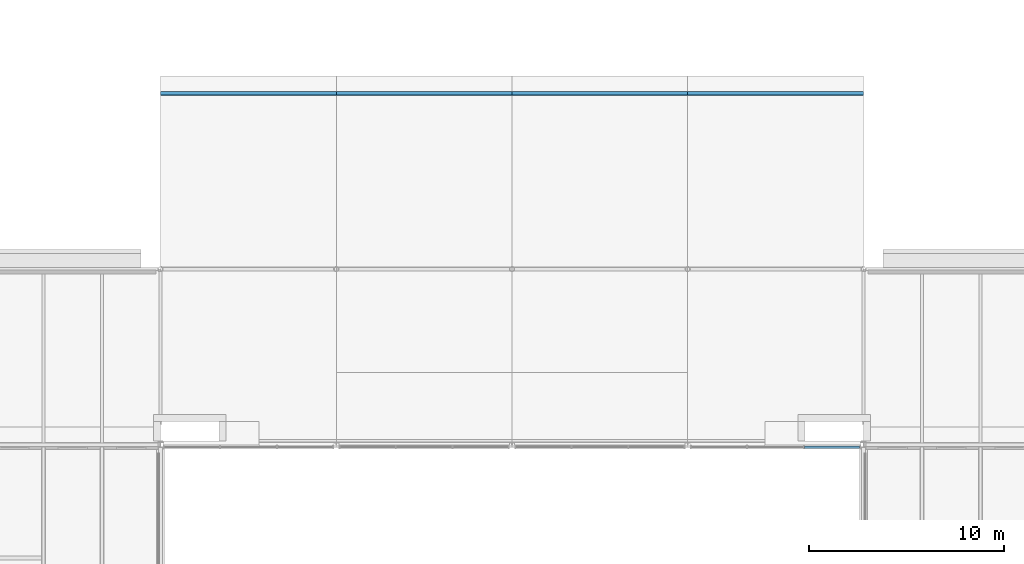
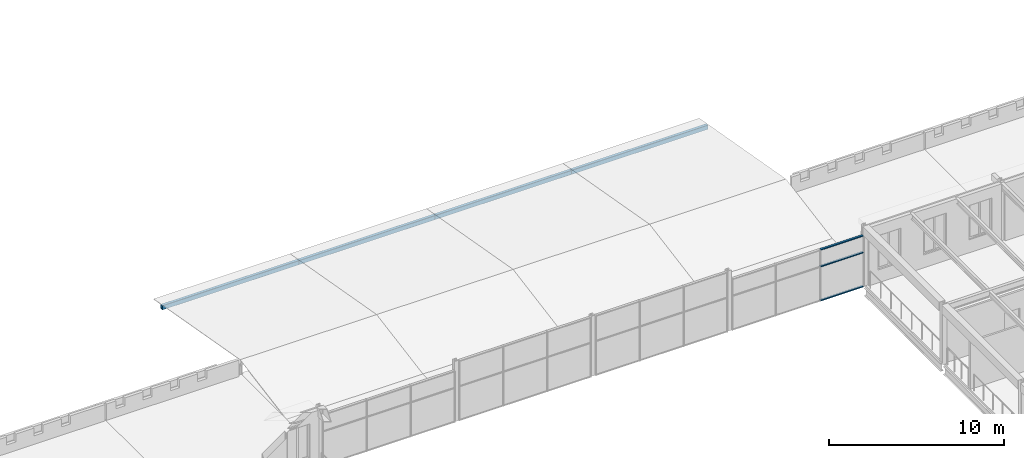
# One storey, part 45 of 123: 4 beams, 3 members, 1 element without a shape of its own.
"""IFC4 building model written with IfcOpenShell, lengths in metres."""

from ifc_helpers import new_model, si_unit, direction, frame, origin, origin_2d, place, context, subcontext, project, spatial, rectangle, hollow_rectangle, extrude, material, material_profile, profile_set, type_object, element, aggregate, save


model = new_model("IFC4")

# Units and contexts
model_context = context("Model", 3, precision=1e-05, world=origin(), true_north=direction((0.0, 1.0)))
body_context = subcontext(model_context, "Body", "Model", "MODEL_VIEW")
ifc_project = project(units=[si_unit("LENGTHUNIT", "METRE"), si_unit("AREAUNIT", "SQUARE_METRE"), si_unit("VOLUMEUNIT", "CUBIC_METRE"), si_unit("PLANEANGLEUNIT", "RADIAN"), si_unit("MASSUNIT", "GRAM", prefix="KILO")], contexts=[model_context])

# Site, building, storey
site_placement = place(None, origin())
site = spatial("IfcSite", under=ifc_project, at=site_placement, CompositionType="ELEMENT")
building_placement = place(site_placement, origin())
building = spatial("IfcBuilding", under=site, at=building_placement, Name="Baradari Gate Terminus", CompositionType="ELEMENT")
storey_placement = place(building_placement, frame((0.0, 0.0, 7.5)))
storey = spatial("IfcBuildingStorey", under=building, at=storey_placement, Name="L01", CompositionType="ELEMENT", Elevation=7.5)

# Beams
ifc_material_1 = material(Name="Steel S355", Category="steel")
ifc_material_profile_1 = material_profile(ifc_material_1, hollow_rectangle(XDim=0.199951171875, YDim=0.300048828125, WallThickness=0.010009765625, InnerFilletRadius=0.010009765625, OuterFilletRadius=0.02001953125, at=origin_2d()), Name="RHS 300x200x10")
ifc_profile_set_1 = profile_set([ifc_material_profile_1], Name="Steel S355")
beam_type = type_object("IfcBeamType", Name="Canopy beam RHS 300x200x10", PredefinedType="BEAM", material=ifc_profile_set_1)
for number, where, z_axis, x_axis, name in (
    (1, (135.0, 126.0, 0.109375), (1.0, 0.0, 0.0), (0.0, 1.0, 0.0), "BM/L01/CE1"),
    (2, (144.0, 126.0, 0.109375), (1.0, 0.0, 0.0), (0.0, 1.0, 0.0), "BM/L01/CE2"),
    (3, (153.0, 126.0, 0.109375), (1.0, 0.0, 0.0), (0.0, 1.0, 0.0), "BM/L01/CE3"),
    (4, (162.0, 126.0, 0.109375), (1.0, 0.0, 0.0), (0.0, 1.0, 0.0), "BM/L01/CE4"),
):
    element("IfcBeam", number, at=place(storey_placement, frame(where, z_axis=z_axis, x_axis=x_axis)), inside=storey, type_object=beam_type, Name=name, PredefinedType="BEAM", context=body_context, shape_type="SweptSolid", body=[
        extrude(hollow_rectangle(XDim=0.199951171875, YDim=0.300048828125, WallThickness=0.010009765625, InnerFilletRadius=0.010009765625, OuterFilletRadius=0.02001953125, at=origin_2d()), origin(), (0.0, 0.0, 1.0), 9.0),
    ])

# Curtain wall, members
ifc_material_2 = material(Name="Aluminium 6063-T6", Category="aluminium")
curtain_wall_type = type_object("IfcCurtainWallType", Name="Curtain wall CW-4 ticket hall clerestory", PredefinedType="NOTDEFINED", material=ifc_material_2)
curtain_wall_placement = place(storey_placement, origin())
curtain_wall = element("IfcCurtainWall", 5, at=curtain_wall_placement, inside=storey, type_object=curtain_wall_type, Name="Glazed curtain wall CW-4 HN bay 19 L01", PredefinedType="NOTDEFINED")
ifc_material_3 = material(Name="Aluminium 6063-T6", Category="aluminium")
ifc_material_profile_2 = material_profile(ifc_material_3, rectangle(XDim=0.135009765625, YDim=0.06494140625, at=origin_2d()), Name="CT-4 65X135")
ifc_profile_set_2 = profile_set([ifc_material_profile_2], Name="Aluminium 6063-T6")
member_type = type_object("IfcMemberType", Name="Curtain wall transom CT-4 65x135", PredefinedType="USERDEFINED", material=ifc_profile_set_2)
member_1_placement = place(storey_placement, frame((167.98974609375, 107.87841796875, 0.032470703125), z_axis=(1.0, 0.0, 0.0), x_axis=(0.0, 1.0, 0.0)))
member_1 = element("IfcMember", 6, at=member_1_placement, type_object=member_type, Name="CW-4 transom 3.1", ObjectType="TRANSOM", PredefinedType="USERDEFINED", context=body_context, shape_type="SweptSolid", body=[
    extrude(rectangle(XDim=0.135009765625, YDim=0.06494140625, at=origin_2d()), origin(), (0.0, 0.0, 1.0), 2.817138671875),
])
member_2_placement = place(storey_placement, frame((167.98974609375, 107.87841796875, 2.39990234375), z_axis=(1.0, 0.0, 0.0), x_axis=(0.0, 1.0, 0.0)))
member_2 = element("IfcMember", 7, at=member_2_placement, type_object=member_type, Name="CW-4 transom 3.2", ObjectType="TRANSOM", PredefinedType="USERDEFINED", context=body_context, shape_type="SweptSolid", body=[
    extrude(rectangle(XDim=0.135009765625, YDim=0.06494140625, at=origin_2d()), origin(), (0.0, 0.0, 1.0), 2.817138671875),
])
member_3_placement = place(storey_placement, frame((167.98974609375, 107.87841796875, 3.5673828125), z_axis=(1.0, 0.0, 0.0), x_axis=(0.0, 1.0, 0.0)))
member_3 = element("IfcMember", 8, at=member_3_placement, type_object=member_type, Name="CW-4 transom 3.3", ObjectType="TRANSOM", PredefinedType="USERDEFINED", context=body_context, shape_type="SweptSolid", body=[
    extrude(rectangle(XDim=0.135009765625, YDim=0.06494140625, at=origin_2d()), origin(), (0.0, 0.0, 1.0), 2.817138671875),
])
aggregate(curtain_wall, [member_1, member_2, member_3])

save(model, "model.ifc")
